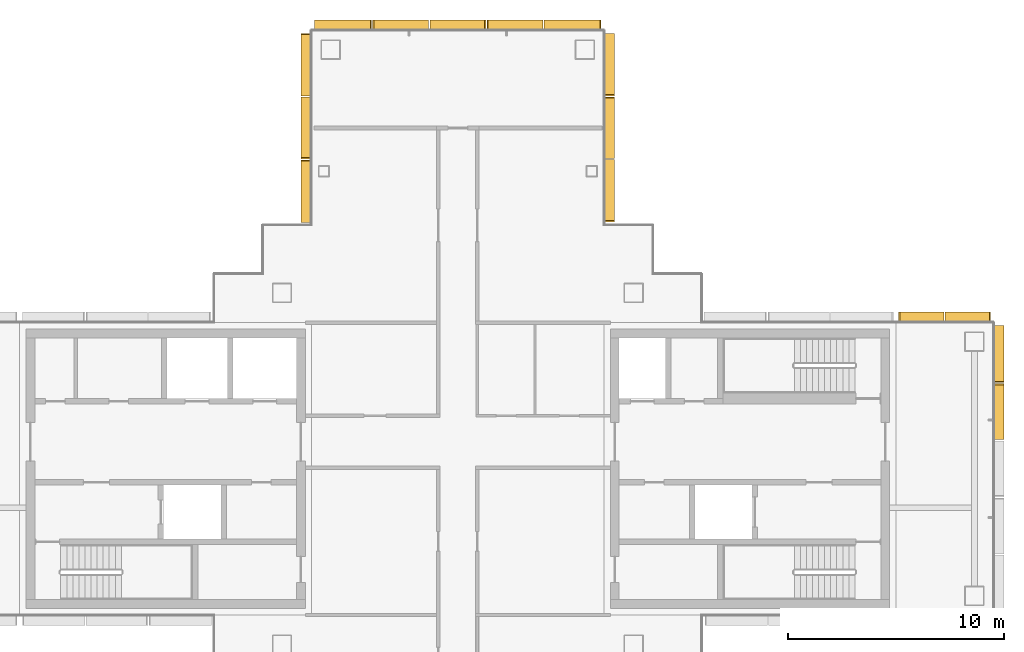
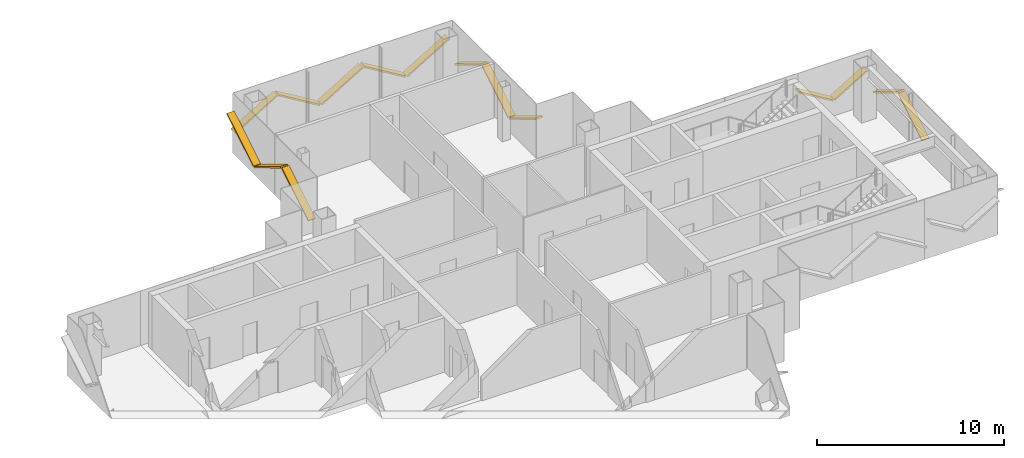
# One storey, part 16 of 17: 15 shading devices.
"""IFC4 building model written with IfcOpenShell, lengths in metres."""

import ifcopenshell
import ifcopenshell.guid

model = None  # the IFC model being written
_history = None  # IfcOwnerHistory: only IFC2X3 demands one
_inside = {}  # id of a spatial element -> (the spatial element, [elements in it])
_under = {}  # id of a project, library or spatial element -> (it, [spatial elements below it])
_declared = {}  # id of a project -> (the project, [libraries it declares])
_typed = {}  # id of a type object -> (the type object, [elements of that type])
_made_of = {}  # id of a material, layer set ... -> (it, [elements and type objects made of it])


def new_model(schema):
    """Start an empty IFC model of exactly this schema.

    Asked for "IFC4X3", IfcOpenShell would pick the latest addendum, in which some entities
    have other attributes; the version numbers below select the first issue.
    IFC2X3 requires an IfcOwnerHistory on every rooted entity: one is made here for all.
    """
    global model, _history
    if schema == "IFC4X3":
        model = ifcopenshell.file(schema_version=(4, 3, 0, 0))
    else:
        model = ifcopenshell.file(schema=schema)
    _inside.clear()
    _under.clear()
    _declared.clear()
    _typed.clear()
    _made_of.clear()
    _history = None
    if model.schema == "IFC2X3":
        org = make("IfcOrganization", Name="unknown")
        user = make(
            "IfcPersonAndOrganization",
            ThePerson=make("IfcPerson", FamilyName="unknown"),
            TheOrganization=org,
        )
        app = make(
            "IfcApplication",
            ApplicationDeveloper=org,
            Version="unknown",
            ApplicationFullName="unknown",
            ApplicationIdentifier="unknown",
        )
        _history = make(
            "IfcOwnerHistory",
            OwningUser=user,
            OwningApplication=app,
            ChangeAction="ADDED",
            CreationDate=0,
        )
    return model


def make(cls, **values):
    """One entity of the class cls with the attributes given. An attribute that is None is left unset."""
    return model.create_entity(
        cls, **{name: value for name, value in values.items() if value is not None}
    )


def rooted(cls, **values):
    """An entity with a GlobalId (a new one), such as an element, a storey or a relation."""
    return make(cls, GlobalId=ifcopenshell.guid.new(), OwnerHistory=_history, **values)


def si_unit(unit_type, name, prefix=None):
    """IfcSIUnit, for example si_unit("LENGTHUNIT", "METRE", prefix="MILLI")."""
    return make("IfcSIUnit", UnitType=unit_type, Prefix=prefix, Name=name)


def assignment(units):
    """IfcUnitAssignment: the units of a project."""
    return None if units is None else make("IfcUnitAssignment", Units=units)


def point(xyz):
    """IfcCartesianPoint."""
    return None if xyz is None else make("IfcCartesianPoint", Coordinates=xyz)


def direction(xyz):
    """IfcDirection."""
    return None if xyz is None else make("IfcDirection", DirectionRatios=xyz)


def frame(location, z_axis=None, x_axis=None):
    """IfcAxis2Placement3D, a coordinate frame: its origin and axes. An axis left out is left unset."""
    return make(
        "IfcAxis2Placement3D",
        Location=point(location),
        Axis=direction(z_axis),
        RefDirection=direction(x_axis),
    )


def frame_2d(location, x_axis=None):
    """IfcAxis2Placement2D, a coordinate frame in the plane: its origin and x axis."""
    return make(
        "IfcAxis2Placement2D", Location=point(location), RefDirection=direction(x_axis)
    )


def origin():
    """The frame at (0, 0, 0) with its axes left unset."""
    return frame((0.0, 0.0, 0.0))


def origin_2d():
    """The frame at (0, 0) in the plane with its x axis left unset."""
    return frame_2d((0.0, 0.0))


def place(relative_to, where):
    """IfcLocalPlacement: puts the frame where relative to a parent placement (None: the world)."""
    return make(
        "IfcLocalPlacement", PlacementRelTo=relative_to, RelativePlacement=where
    )


def context(
    kind, dimensions, precision=None, world=None, true_north=None, identifier=None
):
    """IfcGeometricRepresentationContext, for example the 3D "Model" context."""
    return make(
        "IfcGeometricRepresentationContext",
        ContextIdentifier=identifier,
        ContextType=kind,
        CoordinateSpaceDimension=dimensions,
        Precision=precision,
        WorldCoordinateSystem=world,
        TrueNorth=true_north,
    )


def subcontext(parent, identifier, kind, view, scale=None):
    """IfcGeometricRepresentationSubContext, for example "Body" below "Model"."""
    return make(
        "IfcGeometricRepresentationSubContext",
        ContextIdentifier=identifier,
        ContextType=kind,
        ParentContext=parent,
        TargetScale=scale,
        TargetView=view,
    )


def project(units=None, contexts=None):
    """IfcProject with its units and contexts."""
    return rooted(
        "IfcProject",
        Name="project",
        RepresentationContexts=contexts,
        UnitsInContext=assignment(units),
    )


def spatial(cls, under=None, at=None, **own):
    """A site, building, storey or space (cls), placed at a placement, below another one or the project."""
    s = rooted(cls, ObjectPlacement=at, **own)
    if under is not None:
        _under.setdefault(under.id(), (under, []))[1].append(s)
    return s


def profile(cls, at=None, kind="AREA", **sizes):
    """A parametric profile (cls). Its sizes go by their IFC names, for example OverallWidth=200.0."""
    return make(cls, ProfileType=kind, Position=at, **sizes)


def rectangle(**sizes):
    """IfcRectangleProfileDef."""
    return profile("IfcRectangleProfileDef", **sizes)


def extrude(swept, where, along, depth):
    """IfcExtrudedAreaSolid: the profile swept, set in the frame where, extruded along a direction by depth."""
    return make(
        "IfcExtrudedAreaSolid",
        SweptArea=swept,
        Position=where,
        ExtrudedDirection=direction(along),
        Depth=depth,
    )


def shape(context_of_items, identifier, shape_type, items):
    """IfcShapeRepresentation: the items that make up one representation, for example the "Body"."""
    return make(
        "IfcShapeRepresentation",
        ContextOfItems=context_of_items,
        RepresentationIdentifier=identifier,
        RepresentationType=shape_type,
        Items=items,
    )


def material(Name=None, Category=None):
    """IfcMaterial."""
    return make("IfcMaterial", Name=Name, Category=Category)


def material_profile(
    of_material, cross_section, Name=None, Category=None, Priority=None
):
    """IfcMaterialProfile: a cross section and its material."""
    return make(
        "IfcMaterialProfile",
        Name=Name,
        Material=of_material,
        Profile=cross_section,
        Priority=Priority,
        Category=Category,
    )


def profile_set(profiles, Name=None, composite=None):
    """IfcMaterialProfileSet."""
    return make(
        "IfcMaterialProfileSet",
        Name=Name,
        MaterialProfiles=profiles,
        CompositeProfile=composite,
    )


def made_of(thing, what):
    """Note that an element or type object is made of a material, layer set ...; save() writes the relation."""
    if what is not None:
        _made_of.setdefault(what.id(), (what, []))[1].append(thing)
    return thing


def type_object(cls, material=None, **own):
    """A type object (cls), such as IfcWallType, which elements share."""
    return made_of(rooted(cls, **own), material)


def element(
    cls,
    number,
    at=None,
    inside=None,
    cuts=None,
    type_object=None,
    material=None,
    context=None,
    identifier="Body",
    shape_type=None,
    held_by="IfcProductDefinitionShape",
    body=None,
    shapes=None,
    **own,
):
    """One element of the class cls, such as IfcWall. Its Tag is "e" and its number.

    at: its placement. inside: the storey or other place that contains it. cuts: it is an
    opening in that element (IfcRelVoidsElement). A single representation is given by context,
    identifier, shape_type and body (its items); several are given by shapes. held_by: the class
    of the entity that holds the representations. save() writes the other relations.
    """
    e = rooted(cls, Tag="e%d" % number, ObjectPlacement=at, **own)
    if body is not None:
        shapes = [shape(context, identifier, shape_type, body)]
    if shapes is not None:
        e.Representation = make(held_by, Representations=shapes)
    if inside is not None:
        _inside.setdefault(inside.id(), (inside, []))[1].append(e)
    if cuts is not None:
        rooted(
            "IfcRelVoidsElement", RelatingBuildingElement=cuts, RelatedOpeningElement=e
        )
    if type_object is not None:
        _typed.setdefault(type_object.id(), (type_object, []))[1].append(e)
    return made_of(e, material)


def aggregate(whole, parts):
    """IfcRelAggregates: a whole, such as a stair, and the parts it consists of."""
    return rooted("IfcRelAggregates", RelatingObject=whole, RelatedObjects=parts)


def save(model, path):
    """Write the relations noted so far, then the file.

    IfcRelAggregates (storeys below a building ...), IfcRelContainedInSpatialStructure (elements
    in a storey), IfcRelDefinesByType, IfcRelAssociatesMaterial and IfcRelDeclares: one each for
    every whole, place, type object, material and project.
    """
    for whole, parts in _under.values():
        aggregate(whole, parts)
    for where, things in _inside.values():
        rooted(
            "IfcRelContainedInSpatialStructure",
            RelatedElements=things,
            RelatingStructure=where,
        )
    for kind, things in _typed.values():
        rooted("IfcRelDefinesByType", RelatedObjects=things, RelatingType=kind)
    for what, things in _made_of.values():
        rooted("IfcRelAssociatesMaterial", RelatedObjects=things, RelatingMaterial=what)
    for by, libraries in _declared.values():
        rooted("IfcRelDeclares", RelatingContext=by, RelatedDefinitions=libraries)
    model.write(path)


model = new_model("IFC4")

# Units and contexts
model_context = context("Model", 3, precision=1e-05, world=origin(), true_north=direction((0.0, 1.0)))
body_context = subcontext(model_context, "Body", "Model", "MODEL_VIEW")
ifc_project = project(units=[si_unit("LENGTHUNIT", "METRE"), si_unit("AREAUNIT", "SQUARE_METRE"), si_unit("VOLUMEUNIT", "CUBIC_METRE"), si_unit("PLANEANGLEUNIT", "RADIAN"), si_unit("MASSUNIT", "GRAM", prefix="KILO")], contexts=[model_context])

# Site, building, storey
site_placement = place(None, origin())
site = spatial("IfcSite", under=ifc_project, at=site_placement, CompositionType="ELEMENT")
building_placement = place(site_placement, origin())
building = spatial("IfcBuilding", under=site, at=building_placement, Name="Shamsa Quay Exchange Towers", CompositionType="ELEMENT")
storey_placement = place(building_placement, frame((0.0, 0.0, 249.89990234375)))
storey = spatial("IfcBuildingStorey", under=building, at=storey_placement, Name="L60", CompositionType="ELEMENT", Elevation=249.89990234375)

# Shading devices
ifc_material = material(Name="Aluminium EN AW-6063 T6, black anodised", Category="aluminium")
ifc_material_profile = material_profile(ifc_material, rectangle(XDim=0.449951171875, YDim=0.10009765625, at=origin_2d()), Name="FIN450x100")
ifc_profile_set = profile_set([ifc_material_profile], Name="Aluminium EN AW-6063 T6, black anodised")
shading_device_type = type_object("IfcShadingDeviceType", Name="FIN 450x100 BLACK ALUMINIUM", PredefinedType="USERDEFINED", material=ifc_profile_set)
shading_device_1_placement = place(storey_placement, frame((58.764892578125, 1.3701171875, 0.8369140625), z_axis=(0.0, 0.857121939939, 0.515113560367), x_axis=(-1.0, 0.0, 0.0)))
element("IfcShadingDevice", 1, at=shading_device_1_placement, inside=storey, type_object=shading_device_type, Name="FIN T2 chevron rib", ObjectType="FIN", PredefinedType="USERDEFINED", context=body_context, shape_type="SweptSolid", body=[
    extrude(rectangle(XDim=0.449951171875, YDim=0.10009765625, at=origin_2d()), origin(), (0.0, 0.0, 1.0), 2.963134765625),
])
shading_device_2_placement = place(storey_placement, frame((58.764892578125, 4.010009765625, 2.378173828125), z_axis=(0.0, 0.857186216295, -0.515006592767), x_axis=(-1.0, 0.0, 0.0)))
element("IfcShadingDevice", 2, at=shading_device_2_placement, inside=storey, type_object=shading_device_type, Name="FIN T2 chevron rib", ObjectType="FIN", PredefinedType="USERDEFINED", context=body_context, shape_type="SweptSolid", body=[
    extrude(rectangle(XDim=0.449951171875, YDim=0.10009765625, at=origin_2d()), origin(), (0.0, 0.0, 1.0), 3.021728515625),
])
for number, where, z_axis, x_axis, name in (
    (3, (58.35009765625, 7.014892578125, 2.216064453125), (-0.857141460525, 0.0, -0.515081077743), (0.0, -1.0, 0.0), "FIN T2 chevron rib"),
    (4, (56.199951171875, 7.014892578125, 0.984130859375), (-0.857141460525, 0.0, 0.515081077743), (0.0, -1.0, 0.0), "FIN T2 chevron rib"),
):
    element("IfcShadingDevice", number, at=place(storey_placement, frame(where, z_axis=z_axis, x_axis=x_axis)), inside=storey, type_object=shading_device_type, Name=name, ObjectType="FIN", PredefinedType="USERDEFINED", context=body_context, shape_type="SweptSolid", body=[
        extrude(rectangle(XDim=0.449951171875, YDim=0.10009765625, at=origin_2d()), origin(), (0.0, 0.0, 1.0), 2.391845703125),
    ])
shading_device_3_placement = place(storey_placement, frame((40.764892578125, 11.43798828125, 2.45263671875), z_axis=(0.0, 0.857141320927, -0.515081310046), x_axis=(-1.0, 0.0, 0.0)))
element("IfcShadingDevice", 5, at=shading_device_3_placement, inside=storey, type_object=shading_device_type, Name="FIN T2 chevron rib", ObjectType="FIN", PredefinedType="USERDEFINED", context=body_context, shape_type="SweptSolid", body=[
    extrude(rectangle(XDim=0.449951171875, YDim=0.10009765625, at=origin_2d()), origin(), (0.0, 0.0, 1.0), 3.310302734375),
])
shading_device_4_placement = place(storey_placement, frame((40.764892578125, 14.375244140625, 0.7626953125), z_axis=(0.0, 0.857168152113, 0.515036657922), x_axis=(-1.0, 0.0, 0.0)))
element("IfcShadingDevice", 6, at=shading_device_4_placement, inside=storey, type_object=shading_device_type, Name="FIN T2 chevron rib", ObjectType="FIN", PredefinedType="USERDEFINED", context=body_context, shape_type="SweptSolid", body=[
    extrude(rectangle(XDim=0.449951171875, YDim=0.10009765625, at=origin_2d()), origin(), (0.0, 0.0, 1.0), 3.251708984375),
])
shading_device_5_placement = place(storey_placement, frame((40.764892578125, 17.2626953125, 2.45263671875), z_axis=(0.0, 0.857141320927, -0.515081310046), x_axis=(-1.0, 0.0, 0.0)))
element("IfcShadingDevice", 7, at=shading_device_5_placement, inside=storey, type_object=shading_device_type, Name="FIN T2 chevron rib", ObjectType="FIN", PredefinedType="USERDEFINED", context=body_context, shape_type="SweptSolid", body=[
    extrude(rectangle(XDim=0.449951171875, YDim=0.10009765625, at=origin_2d()), origin(), (0.0, 0.0, 1.0), 3.310302734375),
])
shading_device_6_placement = place(storey_placement, frame((40.35009765625, 20.514892578125, 2.378173828125), z_axis=(-0.857186216295, 0.0, -0.515006592767), x_axis=(0.0, -1.0, 0.0)))
element("IfcShadingDevice", 8, at=shading_device_6_placement, inside=storey, type_object=shading_device_type, Name="FIN T2 chevron rib", ObjectType="FIN", PredefinedType="USERDEFINED", context=body_context, shape_type="SweptSolid", body=[
    extrude(rectangle(XDim=0.449951171875, YDim=0.10009765625, at=origin_2d()), origin(), (0.0, 0.0, 1.0), 3.021728515625),
])
shading_device_7_placement = place(storey_placement, frame((37.659912109375, 20.514892578125, 0.8369140625), z_axis=(-0.857121939939, 0.0, 0.515113560367), x_axis=(0.0, -1.0, 0.0)))
element("IfcShadingDevice", 9, at=shading_device_7_placement, inside=storey, type_object=shading_device_type, Name="FIN T2 chevron rib", ObjectType="FIN", PredefinedType="USERDEFINED", context=body_context, shape_type="SweptSolid", body=[
    extrude(rectangle(XDim=0.449951171875, YDim=0.10009765625, at=origin_2d()), origin(), (0.0, 0.0, 1.0), 2.963134765625),
])
shading_device_8_placement = place(storey_placement, frame((35.02001953125, 20.514892578125, 2.36328125), z_axis=(-0.857143799628, 0.0, -0.515077185244), x_axis=(0.0, -1.0, 0.0)))
element("IfcShadingDevice", 10, at=shading_device_8_placement, inside=storey, type_object=shading_device_type, Name="FIN T2 chevron rib", ObjectType="FIN", PredefinedType="USERDEFINED", context=body_context, shape_type="SweptSolid", body=[
    extrude(rectangle(XDim=0.449951171875, YDim=0.10009765625, at=origin_2d()), origin(), (0.0, 0.0, 1.0), 2.96337890625),
])
shading_device_9_placement = place(storey_placement, frame((32.3798828125, 20.514892578125, 0.8369140625), z_axis=(-0.857121939939, 0.0, 0.515113560367), x_axis=(0.0, -1.0, 0.0)))
element("IfcShadingDevice", 11, at=shading_device_9_placement, inside=storey, type_object=shading_device_type, Name="FIN T2 chevron rib", ObjectType="FIN", PredefinedType="USERDEFINED", context=body_context, shape_type="SweptSolid", body=[
    extrude(rectangle(XDim=0.449951171875, YDim=0.10009765625, at=origin_2d()), origin(), (0.0, 0.0, 1.0), 2.963134765625),
])
shading_device_10_placement = place(storey_placement, frame((29.739990234375, 20.514892578125, 2.378173828125), z_axis=(-0.857186216295, 0.0, -0.515006592767), x_axis=(0.0, -1.0, 0.0)))
element("IfcShadingDevice", 12, at=shading_device_10_placement, inside=storey, type_object=shading_device_type, Name="FIN T2 chevron rib", ObjectType="FIN", PredefinedType="USERDEFINED", context=body_context, shape_type="SweptSolid", body=[
    extrude(rectangle(XDim=0.449951171875, YDim=0.10009765625, at=origin_2d()), origin(), (0.0, 0.0, 1.0), 3.021728515625),
])
shading_device_11_placement = place(storey_placement, frame((26.735107421875, 20.10009765625, 2.456298828125), z_axis=(0.0, -0.857181785947, -0.515013966646), x_axis=(1.0, 0.0, 0.0)))
element("IfcShadingDevice", 13, at=shading_device_11_placement, inside=storey, type_object=shading_device_type, Name="FIN T2 chevron rib", ObjectType="FIN", PredefinedType="USERDEFINED", context=body_context, shape_type="SweptSolid", body=[
    extrude(rectangle(XDim=0.449951171875, YDim=0.10009765625, at=origin_2d()), origin(), (0.0, 0.0, 1.0), 3.324951171875),
])
shading_device_12_placement = place(storey_placement, frame((26.735107421875, 17.14990234375, 0.7587890625), z_axis=(0.0, -0.857123399088, 0.515111132413), x_axis=(1.0, 0.0, 0.0)))
element("IfcShadingDevice", 14, at=shading_device_12_placement, inside=storey, type_object=shading_device_type, Name="FIN T2 chevron rib", ObjectType="FIN", PredefinedType="USERDEFINED", context=body_context, shape_type="SweptSolid", body=[
    extrude(rectangle(XDim=0.449951171875, YDim=0.10009765625, at=origin_2d()), origin(), (0.0, 0.0, 1.0), 3.2666015625),
])
shading_device_13_placement = place(storey_placement, frame((26.735107421875, 14.25, 2.456298828125), z_axis=(0.0, -0.857181785947, -0.515013966646), x_axis=(1.0, 0.0, 0.0)))
element("IfcShadingDevice", 15, at=shading_device_13_placement, inside=storey, type_object=shading_device_type, Name="FIN T2 chevron rib", ObjectType="FIN", PredefinedType="USERDEFINED", context=body_context, shape_type="SweptSolid", body=[
    extrude(rectangle(XDim=0.449951171875, YDim=0.10009765625, at=origin_2d()), origin(), (0.0, 0.0, 1.0), 3.324951171875),
])

save(model, "model.ifc")
